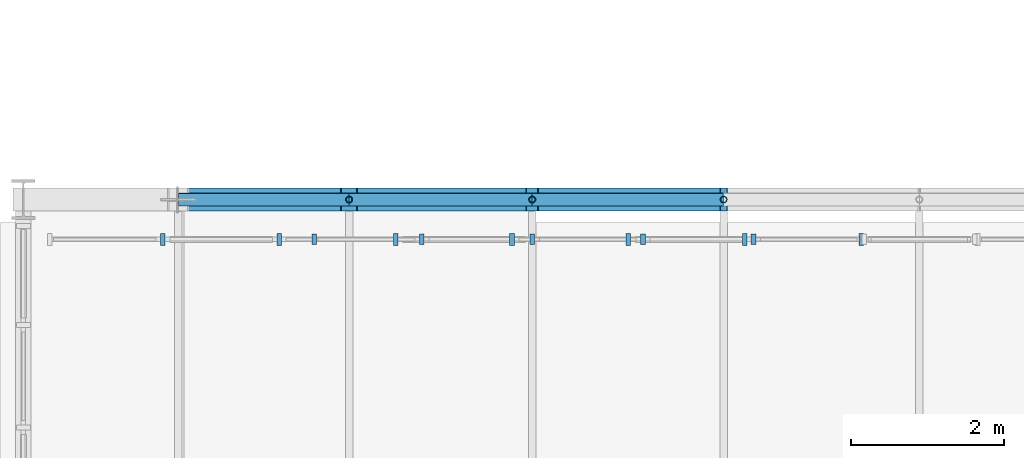
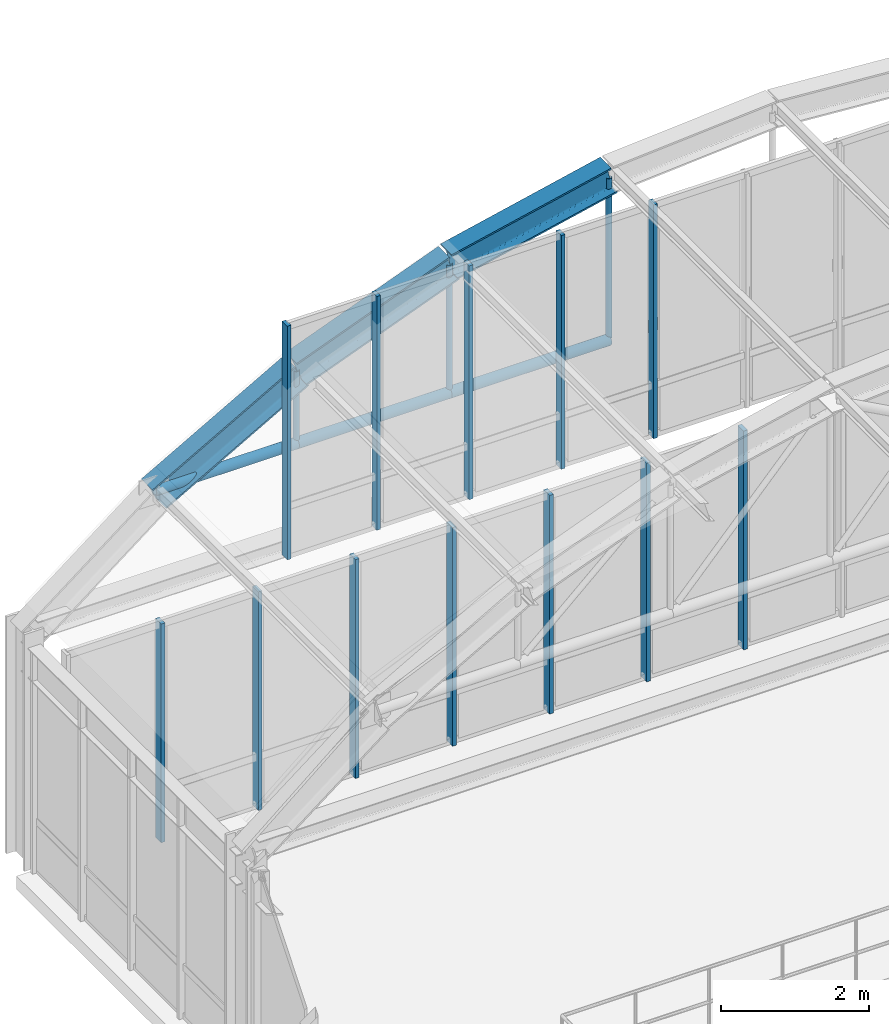
# One storey, part 79 of 148: 18 members, 3 beams, 2 elements without a shape of their own.
"""IFC4 building model written with IfcOpenShell, lengths in metres."""

import ifcopenshell
import ifcopenshell.guid

model = None  # the IFC model being written
_history = None  # IfcOwnerHistory: only IFC2X3 demands one
_inside = {}  # id of a spatial element -> (the spatial element, [elements in it])
_under = {}  # id of a project, library or spatial element -> (it, [spatial elements below it])
_declared = {}  # id of a project -> (the project, [libraries it declares])
_typed = {}  # id of a type object -> (the type object, [elements of that type])
_made_of = {}  # id of a material, layer set ... -> (it, [elements and type objects made of it])


def new_model(schema):
    """Start an empty IFC model of exactly this schema.

    Asked for "IFC4X3", IfcOpenShell would pick the latest addendum, in which some entities
    have other attributes; the version numbers below select the first issue.
    IFC2X3 requires an IfcOwnerHistory on every rooted entity: one is made here for all.
    """
    global model, _history
    if schema == "IFC4X3":
        model = ifcopenshell.file(schema_version=(4, 3, 0, 0))
    else:
        model = ifcopenshell.file(schema=schema)
    _inside.clear()
    _under.clear()
    _declared.clear()
    _typed.clear()
    _made_of.clear()
    _history = None
    if model.schema == "IFC2X3":
        org = make("IfcOrganization", Name="unknown")
        user = make(
            "IfcPersonAndOrganization",
            ThePerson=make("IfcPerson", FamilyName="unknown"),
            TheOrganization=org,
        )
        app = make(
            "IfcApplication",
            ApplicationDeveloper=org,
            Version="unknown",
            ApplicationFullName="unknown",
            ApplicationIdentifier="unknown",
        )
        _history = make(
            "IfcOwnerHistory",
            OwningUser=user,
            OwningApplication=app,
            ChangeAction="ADDED",
            CreationDate=0,
        )
    return model


def make(cls, **values):
    """One entity of the class cls with the attributes given. An attribute that is None is left unset."""
    return model.create_entity(
        cls, **{name: value for name, value in values.items() if value is not None}
    )


def rooted(cls, **values):
    """An entity with a GlobalId (a new one), such as an element, a storey or a relation."""
    return make(cls, GlobalId=ifcopenshell.guid.new(), OwnerHistory=_history, **values)


def si_unit(unit_type, name, prefix=None):
    """IfcSIUnit, for example si_unit("LENGTHUNIT", "METRE", prefix="MILLI")."""
    return make("IfcSIUnit", UnitType=unit_type, Prefix=prefix, Name=name)


def assignment(units):
    """IfcUnitAssignment: the units of a project."""
    return None if units is None else make("IfcUnitAssignment", Units=units)


def point(xyz):
    """IfcCartesianPoint."""
    return None if xyz is None else make("IfcCartesianPoint", Coordinates=xyz)


def direction(xyz):
    """IfcDirection."""
    return None if xyz is None else make("IfcDirection", DirectionRatios=xyz)


def frame(location, z_axis=None, x_axis=None):
    """IfcAxis2Placement3D, a coordinate frame: its origin and axes. An axis left out is left unset."""
    return make(
        "IfcAxis2Placement3D",
        Location=point(location),
        Axis=direction(z_axis),
        RefDirection=direction(x_axis),
    )


def frame_2d(location, x_axis=None):
    """IfcAxis2Placement2D, a coordinate frame in the plane: its origin and x axis."""
    return make(
        "IfcAxis2Placement2D", Location=point(location), RefDirection=direction(x_axis)
    )


def origin():
    """The frame at (0, 0, 0) with its axes left unset."""
    return frame((0.0, 0.0, 0.0))


def origin_2d():
    """The frame at (0, 0) in the plane with its x axis left unset."""
    return frame_2d((0.0, 0.0))


def place(relative_to, where):
    """IfcLocalPlacement: puts the frame where relative to a parent placement (None: the world)."""
    return make(
        "IfcLocalPlacement", PlacementRelTo=relative_to, RelativePlacement=where
    )


def context(
    kind, dimensions, precision=None, world=None, true_north=None, identifier=None
):
    """IfcGeometricRepresentationContext, for example the 3D "Model" context."""
    return make(
        "IfcGeometricRepresentationContext",
        ContextIdentifier=identifier,
        ContextType=kind,
        CoordinateSpaceDimension=dimensions,
        Precision=precision,
        WorldCoordinateSystem=world,
        TrueNorth=true_north,
    )


def subcontext(parent, identifier, kind, view, scale=None):
    """IfcGeometricRepresentationSubContext, for example "Body" below "Model"."""
    return make(
        "IfcGeometricRepresentationSubContext",
        ContextIdentifier=identifier,
        ContextType=kind,
        ParentContext=parent,
        TargetScale=scale,
        TargetView=view,
    )


def project(units=None, contexts=None):
    """IfcProject with its units and contexts."""
    return rooted(
        "IfcProject",
        Name="project",
        RepresentationContexts=contexts,
        UnitsInContext=assignment(units),
    )


def spatial(cls, under=None, at=None, **own):
    """A site, building, storey or space (cls), placed at a placement, below another one or the project."""
    s = rooted(cls, ObjectPlacement=at, **own)
    if under is not None:
        _under.setdefault(under.id(), (under, []))[1].append(s)
    return s


def profile(cls, at=None, kind="AREA", **sizes):
    """A parametric profile (cls). Its sizes go by their IFC names, for example OverallWidth=200.0."""
    return make(cls, ProfileType=kind, Position=at, **sizes)


def rectangle(**sizes):
    """IfcRectangleProfileDef."""
    return profile("IfcRectangleProfileDef", **sizes)


def hollow_circle(**sizes):
    """IfcCircleHollowProfileDef."""
    return profile("IfcCircleHollowProfileDef", **sizes)


def i_section(**sizes):
    """IfcIShapeProfileDef."""
    return profile("IfcIShapeProfileDef", **sizes)


def extrude(swept, where, along, depth):
    """IfcExtrudedAreaSolid: the profile swept, set in the frame where, extruded along a direction by depth."""
    return make(
        "IfcExtrudedAreaSolid",
        SweptArea=swept,
        Position=where,
        ExtrudedDirection=direction(along),
        Depth=depth,
    )


def shape(context_of_items, identifier, shape_type, items):
    """IfcShapeRepresentation: the items that make up one representation, for example the "Body"."""
    return make(
        "IfcShapeRepresentation",
        ContextOfItems=context_of_items,
        RepresentationIdentifier=identifier,
        RepresentationType=shape_type,
        Items=items,
    )


def material(Name=None, Category=None):
    """IfcMaterial."""
    return make("IfcMaterial", Name=Name, Category=Category)


def layer(
    of_material, thickness, ventilated=None, Name=None, Category=None, Priority=None
):
    """IfcMaterialLayer: one layer of a wall or slab, of a material (None: an air gap)."""
    return make(
        "IfcMaterialLayer",
        Material=of_material,
        LayerThickness=thickness,
        IsVentilated=ventilated,
        Name=Name,
        Category=Category,
        Priority=Priority,
    )


def layer_set(layers, Name=None):
    """IfcMaterialLayerSet."""
    return make("IfcMaterialLayerSet", MaterialLayers=layers, LayerSetName=Name)


def material_profile(
    of_material, cross_section, Name=None, Category=None, Priority=None
):
    """IfcMaterialProfile: a cross section and its material."""
    return make(
        "IfcMaterialProfile",
        Name=Name,
        Material=of_material,
        Profile=cross_section,
        Priority=Priority,
        Category=Category,
    )


def profile_set(profiles, Name=None, composite=None):
    """IfcMaterialProfileSet."""
    return make(
        "IfcMaterialProfileSet",
        Name=Name,
        MaterialProfiles=profiles,
        CompositeProfile=composite,
    )


def made_of(thing, what):
    """Note that an element or type object is made of a material, layer set ...; save() writes the relation."""
    if what is not None:
        _made_of.setdefault(what.id(), (what, []))[1].append(thing)
    return thing


def type_object(cls, material=None, **own):
    """A type object (cls), such as IfcWallType, which elements share."""
    return made_of(rooted(cls, **own), material)


def element(
    cls,
    number,
    at=None,
    inside=None,
    cuts=None,
    type_object=None,
    material=None,
    context=None,
    identifier="Body",
    shape_type=None,
    held_by="IfcProductDefinitionShape",
    body=None,
    shapes=None,
    **own,
):
    """One element of the class cls, such as IfcWall. Its Tag is "e" and its number.

    at: its placement. inside: the storey or other place that contains it. cuts: it is an
    opening in that element (IfcRelVoidsElement). A single representation is given by context,
    identifier, shape_type and body (its items); several are given by shapes. held_by: the class
    of the entity that holds the representations. save() writes the other relations.
    """
    e = rooted(cls, Tag="e%d" % number, ObjectPlacement=at, **own)
    if body is not None:
        shapes = [shape(context, identifier, shape_type, body)]
    if shapes is not None:
        e.Representation = make(held_by, Representations=shapes)
    if inside is not None:
        _inside.setdefault(inside.id(), (inside, []))[1].append(e)
    if cuts is not None:
        rooted(
            "IfcRelVoidsElement", RelatingBuildingElement=cuts, RelatedOpeningElement=e
        )
    if type_object is not None:
        _typed.setdefault(type_object.id(), (type_object, []))[1].append(e)
    return made_of(e, material)


def aggregate(whole, parts):
    """IfcRelAggregates: a whole, such as a stair, and the parts it consists of."""
    return rooted("IfcRelAggregates", RelatingObject=whole, RelatedObjects=parts)


def save(model, path):
    """Write the relations noted so far, then the file.

    IfcRelAggregates (storeys below a building ...), IfcRelContainedInSpatialStructure (elements
    in a storey), IfcRelDefinesByType, IfcRelAssociatesMaterial and IfcRelDeclares: one each for
    every whole, place, type object, material and project.
    """
    for whole, parts in _under.values():
        aggregate(whole, parts)
    for where, things in _inside.values():
        rooted(
            "IfcRelContainedInSpatialStructure",
            RelatedElements=things,
            RelatingStructure=where,
        )
    for kind, things in _typed.values():
        rooted("IfcRelDefinesByType", RelatedObjects=things, RelatingType=kind)
    for what, things in _made_of.values():
        rooted("IfcRelAssociatesMaterial", RelatedObjects=things, RelatingMaterial=what)
    for by, libraries in _declared.values():
        rooted("IfcRelDeclares", RelatingContext=by, RelatedDefinitions=libraries)
    model.write(path)


model = new_model("IFC4")

# Units and contexts
model_context = context("Model", 3, precision=1e-05, world=origin(), true_north=direction((0.0, 1.0)))
body_context = subcontext(model_context, "Body", "Model", "MODEL_VIEW")
ifc_project = project(units=[si_unit("LENGTHUNIT", "METRE"), si_unit("AREAUNIT", "SQUARE_METRE"), si_unit("VOLUMEUNIT", "CUBIC_METRE"), si_unit("PLANEANGLEUNIT", "RADIAN"), si_unit("MASSUNIT", "GRAM", prefix="KILO"), si_unit("THERMODYNAMICTEMPERATUREUNIT", "KELVIN"), si_unit("POWERUNIT", "WATT")], contexts=[model_context])

# Site, building, storey
site_placement = place(None, origin())
site = spatial("IfcSite", under=ifc_project, at=site_placement, CompositionType="ELEMENT")
building_placement = place(site_placement, origin())
building = spatial("IfcBuilding", under=site, at=building_placement, Name="Solvatero Civic Police Headquarters", CompositionType="ELEMENT")
storey_placement = place(building_placement, frame((0.0, 0.0, 5.10009765625)))
storey = spatial("IfcBuildingStorey", under=building, at=storey_placement, Name="L01", CompositionType="ELEMENT", Elevation=5.10009765625)

# Beams
ifc_material_1 = material(Name="Steel S355", Category="steel")
ifc_material_profile_1 = material_profile(ifc_material_1, i_section(OverallWidth=0.300048828125, OverallDepth=0.449951171875, WebThickness=0.013916015625, FlangeThickness=0.02587890625, FilletRadius=0.027099609375, at=origin_2d()), Name="HEB 450")
ifc_profile_set_1 = profile_set([ifc_material_profile_1], Name="Steel S355")
beam_type = type_object("IfcBeamType", Name="BM-ST-HEB450", PredefinedType="BEAM", material=ifc_profile_set_1)
for number, where, z_axis, x_axis, name in (
    (1, (100.822509765625, 46.800048828125, 5.330322265625), (0.870765086908, 0.0, 0.491699261156), (0.0, 1.0, 0.0), "VLT1 Tied-Arch Vault Top Chord F8.2"),
    (2, (103.053466796875, 46.800048828125, 6.619873046875), (0.933355429458, 0.0, 0.358953537802), (0.0, 1.0, 0.0), "VLT1 Tied-Arch Vault Top Chord F8.3"),
):
    element("IfcBeam", number, at=place(storey_placement, frame(where, z_axis=z_axis, x_axis=x_axis)), inside=storey, type_object=beam_type, Name=name, PredefinedType="BEAM", context=body_context, shape_type="SweptSolid", body=[
        extrude(i_section(OverallWidth=0.300048828125, OverallDepth=0.449951171875, WebThickness=0.013916015625, FlangeThickness=0.02587890625, FilletRadius=0.027099609375, at=origin_2d()), origin(), (0.0, 0.0, 1.0), 2.56201171875),
    ])
beam_placement = place(storey_placement, frame((105.44482421875, 46.800048828125, 7.5576171875), z_axis=(0.975854055758, 0.0, 0.218423583574), x_axis=(0.0, 1.0, 0.0)))
element("IfcBeam", 3, at=beam_placement, inside=storey, type_object=beam_type, Name="VLT1 Tied-Arch Vault Top Chord F8.4", PredefinedType="BEAM", context=body_context, shape_type="SweptSolid", body=[
    extrude(i_section(OverallWidth=0.300048828125, OverallDepth=0.449951171875, WebThickness=0.013916015625, FlangeThickness=0.02587890625, FilletRadius=0.027099609375, at=origin_2d()), origin(), (0.0, 0.0, 1.0), 2.561767578125),
])

# Curtain wall, members
ifc_material_2 = material(Name="Anodized Bronze Aluminium", Category="aluminium")
ifc_layer_1 = layer(ifc_material_2, 0.179931640625)
ifc_layer_set_1 = layer_set([ifc_layer_1], Name="Anodized Bronze Aluminium")
curtain_wall_type_1 = type_object("IfcCurtainWallType", Name="CW-VLT-TYMP", PredefinedType="USERDEFINED", material=ifc_layer_set_1)
curtain_wall_1_placement = place(storey_placement, origin())
curtain_wall_1 = element("IfcCurtainWall", 4, at=curtain_wall_1_placement, inside=storey, type_object=curtain_wall_type_1, Name="Curtain Wall CW-R2-L01-VLT1-N", ObjectType="UNITISED", PredefinedType="USERDEFINED")
ifc_material_profile_2 = material_profile(ifc_material_2, rectangle(XDim=0.06005859375, YDim=0.139892578125, at=origin_2d()), Name="ALU MULLION 60x140")
ifc_profile_set_2 = profile_set([ifc_material_profile_2], Name="Anodized Bronze Aluminium")
member_type_1 = type_object("IfcMemberType", Name="CWM-160x65", PredefinedType="MULLION", material=ifc_profile_set_2)
member_1_placement = place(storey_placement, frame((102.60009765625, 46.280029296875, 3.97998046875), z_axis=(0.0, 0.0, 1.0), x_axis=(1.0, 0.0, 0.0)))
member_1 = element("IfcMember", 5, at=member_1_placement, type_object=member_type_1, Name="CW-R2-L01-VLT1-N Mullion 1", PredefinedType="MULLION", context=body_context, shape_type="SweptSolid", body=[
    extrude(rectangle(XDim=0.06005859375, YDim=0.139892578125, at=origin_2d()), origin(), (0.0, 0.0, 1.0), 3.869873046875),
])
member_2_placement = place(storey_placement, frame((104.003662109375, 46.280029296875, 3.97998046875), z_axis=(0.0, 0.0, 1.0), x_axis=(1.0, 0.0, 0.0)))
member_2 = element("IfcMember", 6, at=member_2_placement, type_object=member_type_1, Name="CW-R2-L01-VLT1-N Mullion 2", PredefinedType="MULLION", context=body_context, shape_type="SweptSolid", body=[
    extrude(rectangle(XDim=0.06005859375, YDim=0.139892578125, at=origin_2d()), origin(), (0.0, 0.0, 1.0), 3.869873046875),
])
member_3_placement = place(storey_placement, frame((105.447265625, 46.280029296875, 3.97998046875), z_axis=(0.0, 0.0, 1.0), x_axis=(1.0, 0.0, 0.0)))
member_3 = element("IfcMember", 7, at=member_3_placement, type_object=member_type_1, Name="CW-R2-L01-VLT1-N Mullion 3", PredefinedType="MULLION", context=body_context, shape_type="SweptSolid", body=[
    extrude(rectangle(XDim=0.06005859375, YDim=0.139892578125, at=origin_2d()), origin(), (0.0, 0.0, 1.0), 3.869873046875),
])
member_4_placement = place(storey_placement, frame((106.890869140625, 46.280029296875, 3.97998046875), z_axis=(0.0, 0.0, 1.0), x_axis=(1.0, 0.0, 0.0)))
member_4 = element("IfcMember", 8, at=member_4_placement, type_object=member_type_1, Name="CW-R2-L01-VLT1-N Mullion 4", PredefinedType="MULLION", context=body_context, shape_type="SweptSolid", body=[
    extrude(rectangle(XDim=0.06005859375, YDim=0.139892578125, at=origin_2d()), origin(), (0.0, 0.0, 1.0), 3.869873046875),
])
member_5_placement = place(storey_placement, frame((108.33447265625, 46.280029296875, 3.97998046875), z_axis=(0.0, 0.0, 1.0), x_axis=(1.0, 0.0, 0.0)))
member_5 = element("IfcMember", 9, at=member_5_placement, type_object=member_type_1, Name="CW-R2-L01-VLT1-N Mullion 5", PredefinedType="MULLION", context=body_context, shape_type="SweptSolid", body=[
    extrude(rectangle(XDim=0.06005859375, YDim=0.139892578125, at=origin_2d()), origin(), (0.0, 0.0, 1.0), 3.869873046875),
])
aggregate(curtain_wall_1, [member_1, member_2, member_3, member_4, member_5])

ifc_layer_2 = layer(ifc_material_2, 0.179931640625)
ifc_layer_set_2 = layer_set([ifc_layer_2], Name="Anodized Bronze Aluminium")
curtain_wall_type_2 = type_object("IfcCurtainWallType", Name="CW-HAL-GLZ", PredefinedType="USERDEFINED", material=ifc_layer_set_2)
curtain_wall_2_placement = place(storey_placement, origin())
curtain_wall_2 = element("IfcCurtainWall", 10, at=curtain_wall_2_placement, inside=storey, type_object=curtain_wall_type_2, Name="Curtain Wall CW-R2-L01-V1-N", ObjectType="UNITISED", PredefinedType="USERDEFINED")
ifc_material_profile_3 = material_profile(ifc_material_2, rectangle(XDim=0.06005859375, YDim=0.159912109375, at=origin_2d()), Name="ALU MULLION 60x160")
ifc_profile_set_3 = profile_set([ifc_material_profile_3], Name="Anodized Bronze Aluminium")
member_type_2 = type_object("IfcMemberType", Name="CWM-180x70", PredefinedType="MULLION", material=ifc_profile_set_3)
member_6_placement = place(storey_placement, frame((100.62158203125, 46.280029296875, 0.0), z_axis=(0.0, 0.0, 1.0), x_axis=(1.0, 0.0, 0.0)))
member_6 = element("IfcMember", 11, at=member_6_placement, type_object=member_type_2, Name="CW-R2-L01-V1-N Mullion 2", PredefinedType="MULLION", context=body_context, shape_type="SweptSolid", body=[
    extrude(rectangle(XDim=0.06005859375, YDim=0.159912109375, at=origin_2d()), origin(), (0.0, 0.0, 1.0), 3.619873046875),
])
member_7_placement = place(storey_placement, frame((102.1416015625, 46.280029296875, 0.0), z_axis=(0.0, 0.0, 1.0), x_axis=(1.0, 0.0, 0.0)))
member_7 = element("IfcMember", 12, at=member_7_placement, type_object=member_type_2, Name="CW-R2-L01-V1-N Mullion 3", PredefinedType="MULLION", context=body_context, shape_type="SweptSolid", body=[
    extrude(rectangle(XDim=0.06005859375, YDim=0.159912109375, at=origin_2d()), origin(), (0.0, 0.0, 1.0), 3.619873046875),
])
member_8_placement = place(storey_placement, frame((103.6611328125, 46.280029296875, 0.0), z_axis=(0.0, 0.0, 1.0), x_axis=(1.0, 0.0, 0.0)))
member_8 = element("IfcMember", 13, at=member_8_placement, type_object=member_type_2, Name="CW-R2-L01-V1-N Mullion 4", PredefinedType="MULLION", context=body_context, shape_type="SweptSolid", body=[
    extrude(rectangle(XDim=0.06005859375, YDim=0.159912109375, at=origin_2d()), origin(), (0.0, 0.0, 1.0), 3.619873046875),
])
member_9_placement = place(storey_placement, frame((105.180908203125, 46.280029296875, 0.0), z_axis=(0.0, 0.0, 1.0), x_axis=(1.0, 0.0, 0.0)))
member_9 = element("IfcMember", 14, at=member_9_placement, type_object=member_type_2, Name="CW-R2-L01-V1-N Mullion 5", PredefinedType="MULLION", context=body_context, shape_type="SweptSolid", body=[
    extrude(rectangle(XDim=0.06005859375, YDim=0.159912109375, at=origin_2d()), origin(), (0.0, 0.0, 1.0), 3.619873046875),
])
member_10_placement = place(storey_placement, frame((106.70068359375, 46.280029296875, 0.0), z_axis=(0.0, 0.0, 1.0), x_axis=(1.0, 0.0, 0.0)))
member_10 = element("IfcMember", 15, at=member_10_placement, type_object=member_type_2, Name="CW-R2-L01-V1-N Mullion 6", PredefinedType="MULLION", context=body_context, shape_type="SweptSolid", body=[
    extrude(rectangle(XDim=0.06005859375, YDim=0.159912109375, at=origin_2d()), origin(), (0.0, 0.0, 1.0), 3.619873046875),
])
member_11_placement = place(storey_placement, frame((108.220458984375, 46.280029296875, 0.0), z_axis=(0.0, 0.0, 1.0), x_axis=(1.0, 0.0, 0.0)))
member_11 = element("IfcMember", 16, at=member_11_placement, type_object=member_type_2, Name="CW-R2-L01-V1-N Mullion 7", PredefinedType="MULLION", context=body_context, shape_type="SweptSolid", body=[
    extrude(rectangle(XDim=0.06005859375, YDim=0.159912109375, at=origin_2d()), origin(), (0.0, 0.0, 1.0), 3.619873046875),
])
member_12_placement = place(storey_placement, frame((109.739990234375, 46.280029296875, 0.0), z_axis=(0.0, 0.0, 1.0), x_axis=(1.0, 0.0, 0.0)))
member_12 = element("IfcMember", 17, at=member_12_placement, type_object=member_type_2, Name="CW-R2-L01-V1-N Mullion 8", PredefinedType="MULLION", context=body_context, shape_type="SweptSolid", body=[
    extrude(rectangle(XDim=0.06005859375, YDim=0.159912109375, at=origin_2d()), origin(), (0.0, 0.0, 1.0), 3.619873046875),
])
aggregate(curtain_wall_2, [member_6, member_7, member_8, member_9, member_10, member_11, member_12])

# Members
ifc_material_profile_4 = material_profile(ifc_material_1, hollow_circle(Radius=0.04443359375, WallThickness=0.00634765625, at=origin_2d()), Name="CHS 88.9x6.3")
ifc_profile_set_4 = profile_set([ifc_material_profile_4], Name="Steel S355")
member_type_3 = type_object("IfcMemberType", Name="MB-HNG-CHS89", PredefinedType="STRUT", material=ifc_profile_set_4)
member_13_placement = place(storey_placement, frame((103.053466796875, 46.800048828125, 5.431640625), z_axis=(0.0, 0.0, 1.0), x_axis=(1.0, 0.0, 0.0)))
element("IfcMember", 18, at=member_13_placement, inside=storey, type_object=member_type_3, Name="VLT1 Vault Vertical Hanger F8.2", PredefinedType="STRUT", context=body_context, shape_type="SweptSolid", body=[
    extrude(hollow_circle(Radius=0.04443359375, WallThickness=0.00634765625, at=origin_2d()), origin(), (0.0, 0.0, 1.0), 1.169677734375),
])
member_14_placement = place(storey_placement, frame((105.44482421875, 46.800048828125, 5.431640625), z_axis=(0.0, 0.0, 1.0), x_axis=(1.0, 0.0, 0.0)))
element("IfcMember", 19, at=member_14_placement, inside=storey, type_object=member_type_3, Name="VLT1 Vault Vertical Hanger F8.3", PredefinedType="STRUT", context=body_context, shape_type="SweptSolid", body=[
    extrude(hollow_circle(Radius=0.04443359375, WallThickness=0.00634765625, at=origin_2d()), origin(), (0.0, 0.0, 1.0), 2.08935546875),
])
member_15_placement = place(storey_placement, frame((107.94482421875, 46.800048828125, 5.431640625), z_axis=(0.0, 0.0, 1.0), x_axis=(1.0, 0.0, 0.0)))
element("IfcMember", 20, at=member_15_placement, inside=storey, type_object=member_type_3, Name="VLT1 Vault Vertical Hanger F8.4", PredefinedType="STRUT", context=body_context, shape_type="SweptSolid", body=[
    extrude(hollow_circle(Radius=0.04443359375, WallThickness=0.00634765625, at=origin_2d()), origin(), (0.0, 0.0, 1.0), 2.649169921875),
])
ifc_material_profile_5 = material_profile(ifc_material_1, hollow_circle(Radius=0.084228515625, WallThickness=0.010009765625, at=origin_2d()), Name="CHS 168.3x10.0")
ifc_profile_set_5 = profile_set([ifc_material_profile_5], Name="Steel S355")
member_type_4 = type_object("IfcMemberType", Name="MB-TIE-CHS168", PredefinedType="CHORD", material=ifc_profile_set_5)
member_16_placement = place(storey_placement, frame((100.822509765625, 46.800048828125, 5.3916015625), z_axis=(1.0, 0.0, 0.0), x_axis=(0.0, 1.0, 0.0)))
element("IfcMember", 21, at=member_16_placement, inside=storey, type_object=member_type_4, Name="VLT1 Vault Horizontal Tie Chord F8.1", PredefinedType="CHORD", context=body_context, shape_type="SweptSolid", body=[
    extrude(hollow_circle(Radius=0.084228515625, WallThickness=0.010009765625, at=origin_2d()), origin(), (0.0, 0.0, 1.0), 2.23095703125),
])
member_17_placement = place(storey_placement, frame((103.053466796875, 46.800048828125, 5.3916015625), z_axis=(1.0, 0.0, 0.0), x_axis=(0.0, 1.0, 0.0)))
element("IfcMember", 22, at=member_17_placement, inside=storey, type_object=member_type_4, Name="VLT1 Vault Horizontal Tie Chord F8.2", PredefinedType="CHORD", context=body_context, shape_type="SweptSolid", body=[
    extrude(hollow_circle(Radius=0.084228515625, WallThickness=0.010009765625, at=origin_2d()), origin(), (0.0, 0.0, 1.0), 2.391357421875),
])
member_18_placement = place(storey_placement, frame((105.44482421875, 46.800048828125, 5.3916015625), z_axis=(1.0, 0.0, 0.0), x_axis=(0.0, 1.0, 0.0)))
element("IfcMember", 23, at=member_18_placement, inside=storey, type_object=member_type_4, Name="VLT1 Vault Horizontal Tie Chord F8.3", PredefinedType="CHORD", context=body_context, shape_type="SweptSolid", body=[
    extrude(hollow_circle(Radius=0.084228515625, WallThickness=0.010009765625, at=origin_2d()), origin(), (0.0, 0.0, 1.0), 2.5),
])

save(model, "model.ifc")
